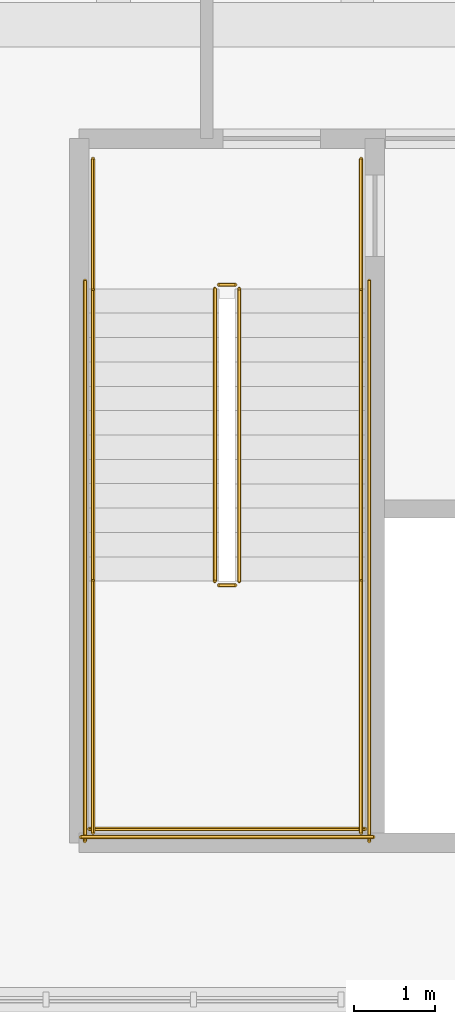
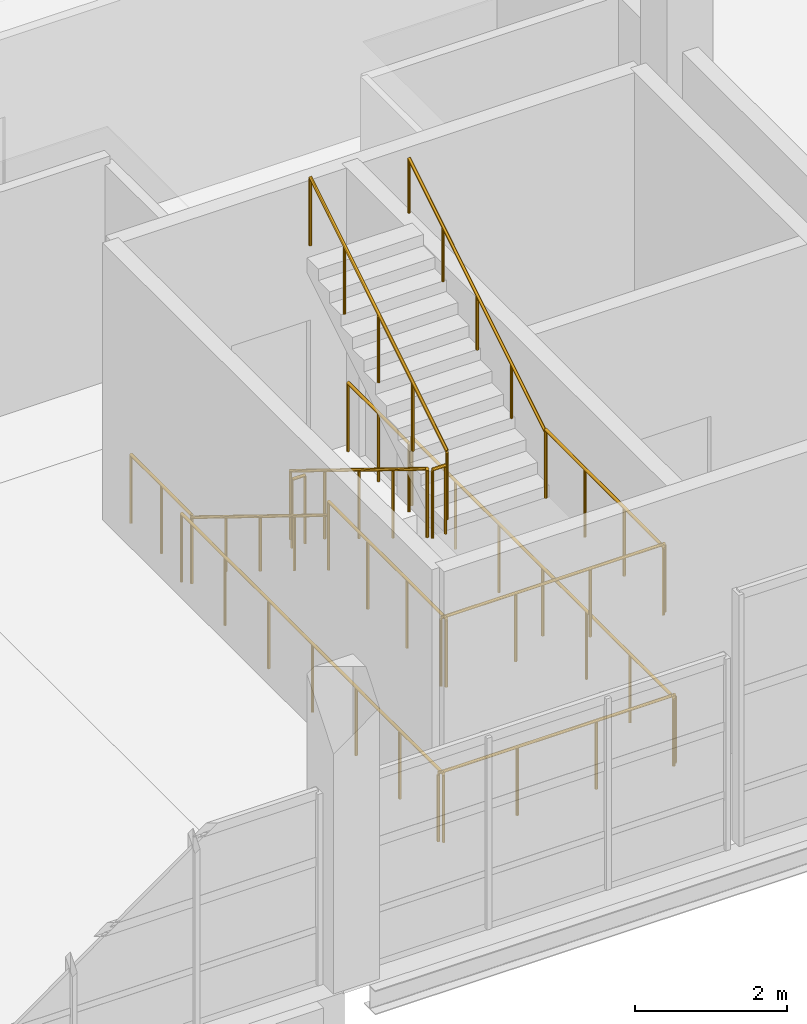
# One storey, part 47 of 49: 14 railings.
"""IFC4 building model written with IfcOpenShell, lengths in metres."""

from ifc_helpers import new_model, si_unit, direction, frame, origin, origin_2d, place, context, subcontext, project, spatial, circle, extrude, material, type_object, element, save


model = new_model("IFC4")

# Units and contexts
model_context = context("Model", 3, precision=1e-05, world=origin(), true_north=direction((0.0, 1.0)))
body_context = subcontext(model_context, "Body", "Model", "MODEL_VIEW")
ifc_project = project(units=[si_unit("LENGTHUNIT", "METRE"), si_unit("AREAUNIT", "SQUARE_METRE"), si_unit("VOLUMEUNIT", "CUBIC_METRE"), si_unit("PLANEANGLEUNIT", "RADIAN"), si_unit("MASSUNIT", "GRAM", prefix="KILO")], contexts=[model_context])

# Site, building, storey
site_placement = place(None, origin())
site = spatial("IfcSite", under=ifc_project, at=site_placement, CompositionType="ELEMENT")
building_placement = place(site_placement, origin())
building = spatial("IfcBuilding", under=site, at=building_placement, Name="Kamomehara Wholesale Market", CompositionType="ELEMENT")
storey_placement = place(building_placement, frame((0.0, 0.0, 11.39990234375)))
storey = spatial("IfcBuildingStorey", under=building, at=storey_placement, Name="L02", CompositionType="ELEMENT", Elevation=11.39990234375)

# Railings
ifc_material_1 = material(Name="Steel SN400B", Category="steel")
railing_type_1 = type_object("IfcRailingType", Name="RAL-HND-900", PredefinedType="HANDRAIL", material=ifc_material_1)
railing_1_placement = place(storey_placement, frame((146.75, 20.75, 0.184814453125)))
element("IfcRailing", 1, at=railing_1_placement, inside=storey, type_object=railing_type_1, Name="L02 ST-08 stair handrail 1", PredefinedType="HANDRAIL", context=body_context, shape_type="SweptSolid", body=[
    extrude(circle(Radius=0.02392578125, at=origin_2d()), frame((0.0, 0.0, 0.8759765625), z_axis=(0.0, -0.85167021472, 0.524078090897), x_axis=(1.0, 0.0, 0.0)), (0.0, 0.0, 1.0), 4.22705078125),
    extrude(circle(Radius=0.02099609375, at=origin_2d()), origin(), (0.0, 0.0, 1.0), 0.851806640625),
    extrude(circle(Radius=0.02099609375, at=origin_2d()), frame((0.0, -0.89990234375, 0.5537109375)), (0.0, 0.0, 1.0), 0.851806640625),
    extrude(circle(Radius=0.02099609375, at=origin_2d()), frame((0.0, -1.800048828125, 1.107666015625)), (0.0, 0.0, 1.0), 0.851806640625),
    extrude(circle(Radius=0.02099609375, at=origin_2d()), frame((0.0, -2.7001953125, 1.66162109375)), (0.0, 0.0, 1.0), 0.851806640625),
    extrude(circle(Radius=0.02099609375, at=origin_2d()), frame((0.0, -3.60009765625, 2.21533203125)), (0.0, 0.0, 1.0), 0.851806640625),
])
railing_2_placement = place(storey_placement, frame((150.050048828125, 17.14990234375, 2.584716796875)))
element("IfcRailing", 2, at=railing_2_placement, inside=storey, type_object=railing_type_1, Name="L02 ST-08 stair handrail 2", PredefinedType="HANDRAIL", context=body_context, shape_type="SweptSolid", body=[
    extrude(circle(Radius=0.02392578125, at=origin_2d()), frame((0.0, 0.0, 0.8759765625), z_axis=(0.0, 0.85167021472, 0.524078090897), x_axis=(-1.0, 0.0, 0.0)), (0.0, 0.0, 1.0), 4.22705078125),
    extrude(circle(Radius=0.02099609375, at=origin_2d()), origin(), (0.0, 0.0, 1.0), 0.851806640625),
    extrude(circle(Radius=0.02099609375, at=origin_2d()), frame((0.0, 0.89990234375, 0.5537109375)), (0.0, 0.0, 1.0), 0.851806640625),
    extrude(circle(Radius=0.02099609375, at=origin_2d()), frame((0.0, 1.800048828125, 1.107666015625)), (0.0, 0.0, 1.0), 0.851806640625),
    extrude(circle(Radius=0.02099609375, at=origin_2d()), frame((0.0, 2.7001953125, 1.66162109375)), (0.0, 0.0, 1.0), 0.851806640625),
    extrude(circle(Radius=0.02099609375, at=origin_2d()), frame((0.0, 3.60009765625, 2.21533203125)), (0.0, 0.0, 1.0), 0.851806640625),
])
ifc_material_2 = material(Name="Steel SN400B", Category="steel")
railing_type_2 = type_object("IfcRailingType", Name="RAL-INT-1100", PredefinedType="BALUSTRADE", material=ifc_material_2)
railing_3_placement = place(storey_placement, frame((148.25, 20.75, 0.184814453125)))
element("IfcRailing", 3, at=railing_3_placement, inside=storey, type_object=railing_type_2, Name="L02 ST-08 stair guard 1", PredefinedType="BALUSTRADE", context=body_context, shape_type="SweptSolid", body=[
    extrude(circle(Radius=0.02392578125, at=origin_2d()), frame((0.0, 0.0, 1.09619140625), z_axis=(0.0, -0.85167021472, 0.524078090897), x_axis=(1.0, 0.0, 0.0)), (0.0, 0.0, 1.0), 4.22705078125),
    extrude(circle(Radius=0.02099609375, at=origin_2d()), origin(), (0.0, 0.0, 1.0), 1.072021484375),
    extrude(circle(Radius=0.02099609375, at=origin_2d()), frame((0.0, -0.89990234375, 0.5537109375)), (0.0, 0.0, 1.0), 1.072021484375),
    extrude(circle(Radius=0.02099609375, at=origin_2d()), frame((0.0, -1.800048828125, 1.107666015625)), (0.0, 0.0, 1.0), 1.072021484375),
    extrude(circle(Radius=0.02099609375, at=origin_2d()), frame((0.0, -2.7001953125, 1.66162109375)), (0.0, 0.0, 1.0), 1.072021484375),
    extrude(circle(Radius=0.02099609375, at=origin_2d()), frame((0.0, -3.60009765625, 2.21533203125)), (0.0, 0.0, 1.0), 1.072021484375),
])
railing_4_placement = place(storey_placement, frame((148.300048828125, 17.10009765625, 2.400146484375)))
element("IfcRailing", 4, at=railing_4_placement, inside=storey, type_object=railing_type_2, Name="L02 ST-08 stair guard 2", PredefinedType="BALUSTRADE", context=body_context, shape_type="SweptSolid", body=[
    extrude(circle(Radius=0.02392578125, at=origin_2d()), frame((0.0, 0.0, 1.09619140625), z_axis=(1.0, 0.0, 0.0), x_axis=(0.0, 1.0, 0.0)), (0.0, 0.0, 1.0), 0.199951171875),
    extrude(circle(Radius=0.02099609375, at=origin_2d()), origin(), (0.0, 0.0, 1.0), 1.072021484375),
    extrude(circle(Radius=0.02099609375, at=origin_2d()), frame((0.199951171875, 0.0, 0.0)), (0.0, 0.0, 1.0), 1.072021484375),
])
for number, where, name in (
    (5, (146.75, 17.14990234375, 2.400146484375), "L02 ST-08 stair guard 3"),
    (6, (150.050048828125, 17.14990234375, 2.400146484375), "L02 ST-08 stair guard 4"),
):
    element("IfcRailing", number, at=place(storey_placement, frame(where)), inside=storey, type_object=railing_type_2, Name=name, PredefinedType="BALUSTRADE", context=body_context, shape_type="SweptSolid", body=[
        extrude(circle(Radius=0.02392578125, at=origin_2d()), frame((0.0, 0.0, 1.09619140625), z_axis=(0.0, -1.0, 0.0), x_axis=(1.0, 0.0, 0.0)), (0.0, 0.0, 1.0), 3.099853515625),
        extrude(circle(Radius=0.02099609375, at=origin_2d()), origin(), (0.0, 0.0, 1.0), 1.072021484375),
        extrude(circle(Radius=0.02099609375, at=origin_2d()), frame((0.0, -1.033203125, 0.0)), (0.0, 0.0, 1.0), 1.072021484375),
        extrude(circle(Radius=0.02099609375, at=origin_2d()), frame((0.0, -2.066650390625, 0.0)), (0.0, 0.0, 1.0), 1.072021484375),
        extrude(circle(Radius=0.02099609375, at=origin_2d()), frame((0.0, -3.099853515625, 0.0)), (0.0, 0.0, 1.0), 1.072021484375),
    ])
railing_5_placement = place(storey_placement, frame((146.699951171875, 14.10009765625, 2.400146484375)))
element("IfcRailing", 7, at=railing_5_placement, inside=storey, type_object=railing_type_2, Name="L02 ST-08 stair guard 5", PredefinedType="BALUSTRADE", context=body_context, shape_type="SweptSolid", body=[
    extrude(circle(Radius=0.02392578125, at=origin_2d()), frame((0.0, 0.0, 1.09619140625), z_axis=(1.0, 0.0, 0.0), x_axis=(0.0, 1.0, 0.0)), (0.0, 0.0, 1.0), 3.400146484375),
    extrude(circle(Radius=0.02099609375, at=origin_2d()), origin(), (0.0, 0.0, 1.0), 1.072021484375),
    extrude(circle(Radius=0.02099609375, at=origin_2d()), frame((1.13330078125, 0.0, 0.0)), (0.0, 0.0, 1.0), 1.072021484375),
    extrude(circle(Radius=0.02099609375, at=origin_2d()), frame((2.266845703125, 0.0, 0.0)), (0.0, 0.0, 1.0), 1.072021484375),
    extrude(circle(Radius=0.02099609375, at=origin_2d()), frame((3.400146484375, 0.0, 0.0)), (0.0, 0.0, 1.0), 1.072021484375),
])
railing_6_placement = place(storey_placement, frame((148.550048828125, 17.14990234375, 2.584716796875)))
element("IfcRailing", 8, at=railing_6_placement, inside=storey, type_object=railing_type_2, Name="L02 ST-08 stair guard 6", PredefinedType="BALUSTRADE", context=body_context, shape_type="SweptSolid", body=[
    extrude(circle(Radius=0.02392578125, at=origin_2d()), frame((0.0, 0.0, 1.09619140625), z_axis=(0.0, 0.85167021472, 0.524078090897), x_axis=(-1.0, 0.0, 0.0)), (0.0, 0.0, 1.0), 4.22705078125),
    extrude(circle(Radius=0.02099609375, at=origin_2d()), origin(), (0.0, 0.0, 1.0), 1.072021484375),
    extrude(circle(Radius=0.02099609375, at=origin_2d()), frame((0.0, 0.89990234375, 0.5537109375)), (0.0, 0.0, 1.0), 1.072021484375),
    extrude(circle(Radius=0.02099609375, at=origin_2d()), frame((0.0, 1.800048828125, 1.107666015625)), (0.0, 0.0, 1.0), 1.072021484375),
    extrude(circle(Radius=0.02099609375, at=origin_2d()), frame((0.0, 2.7001953125, 1.66162109375)), (0.0, 0.0, 1.0), 1.072021484375),
    extrude(circle(Radius=0.02099609375, at=origin_2d()), frame((0.0, 3.60009765625, 2.21533203125)), (0.0, 0.0, 1.0), 1.072021484375),
])
railing_7_placement = place(storey_placement, frame((148.300048828125, 20.800048828125, 0.0)))
element("IfcRailing", 9, at=railing_7_placement, inside=storey, type_object=railing_type_2, Name="L02 ST-08 stair guard 7", PredefinedType="BALUSTRADE", context=body_context, shape_type="SweptSolid", body=[
    extrude(circle(Radius=0.02392578125, at=origin_2d()), frame((0.0, 0.0, 1.09619140625), z_axis=(1.0, 0.0, 0.0), x_axis=(0.0, 1.0, 0.0)), (0.0, 0.0, 1.0), 0.199951171875),
    extrude(circle(Radius=0.02099609375, at=origin_2d()), origin(), (0.0, 0.0, 1.0), 1.072021484375),
    extrude(circle(Radius=0.02099609375, at=origin_2d()), frame((0.199951171875, 0.0, 0.0)), (0.0, 0.0, 1.0), 1.072021484375),
])
for number, where, name in (
    (10, (146.75, 22.35009765625, 0.0), "L02 ST-08 stair guard 8"),
    (11, (150.050048828125, 22.35009765625, 0.0), "L02 ST-08 stair guard 9"),
):
    element("IfcRailing", number, at=place(storey_placement, frame(where)), inside=storey, type_object=railing_type_2, Name=name, PredefinedType="BALUSTRADE", context=body_context, shape_type="SweptSolid", body=[
        extrude(circle(Radius=0.02392578125, at=origin_2d()), frame((0.0, 0.0, 1.09619140625), z_axis=(0.0, -1.0, 0.0), x_axis=(1.0, 0.0, 0.0)), (0.0, 0.0, 1.0), 1.60009765625),
        extrude(circle(Radius=0.02099609375, at=origin_2d()), origin(), (0.0, 0.0, 1.0), 1.072021484375),
        extrude(circle(Radius=0.02099609375, at=origin_2d()), frame((0.0, -0.800048828125, 0.0)), (0.0, 0.0, 1.0), 1.072021484375),
        extrude(circle(Radius=0.02099609375, at=origin_2d()), frame((0.0, -1.60009765625, 0.0)), (0.0, 0.0, 1.0), 1.072021484375),
    ])
for number, where, name in (
    (12, (146.64990234375, 20.85009765625, 0.0), "L02 ST-08 stair guard 10"),
    (13, (150.14990234375, 20.85009765625, 0.0), "L02 ST-08 stair guard 11"),
):
    element("IfcRailing", number, at=place(storey_placement, frame(where)), inside=storey, type_object=railing_type_2, Name=name, PredefinedType="BALUSTRADE", context=body_context, shape_type="SweptSolid", body=[
        extrude(circle(Radius=0.02392578125, at=origin_2d()), frame((0.0, 0.0, 1.09619140625), z_axis=(0.0, -1.0, 0.0), x_axis=(1.0, 0.0, 0.0)), (0.0, 0.0, 1.0), 6.900146484375),
        extrude(circle(Radius=0.02099609375, at=origin_2d()), origin(), (0.0, 0.0, 1.0), 1.072021484375),
        extrude(circle(Radius=0.02099609375, at=origin_2d()), frame((0.0, -1.14990234375, 0.0)), (0.0, 0.0, 1.0), 1.072021484375),
        extrude(circle(Radius=0.02099609375, at=origin_2d()), frame((0.0, -2.300048828125, 0.0)), (0.0, 0.0, 1.0), 1.072021484375),
        extrude(circle(Radius=0.02099609375, at=origin_2d()), frame((0.0, -3.4501953125, 0.0)), (0.0, 0.0, 1.0), 1.072021484375),
        extrude(circle(Radius=0.02099609375, at=origin_2d()), frame((0.0, -4.60009765625, 0.0)), (0.0, 0.0, 1.0), 1.072021484375),
        extrude(circle(Radius=0.02099609375, at=origin_2d()), frame((0.0, -5.75, 0.0)), (0.0, 0.0, 1.0), 1.072021484375),
        extrude(circle(Radius=0.02099609375, at=origin_2d()), frame((0.0, -6.900146484375, 0.0)), (0.0, 0.0, 1.0), 1.072021484375),
    ])
railing_8_placement = place(storey_placement, frame((146.60009765625, 14.0, 0.0)))
element("IfcRailing", 14, at=railing_8_placement, inside=storey, type_object=railing_type_2, Name="L02 ST-08 stair guard 12", PredefinedType="BALUSTRADE", context=body_context, shape_type="SweptSolid", body=[
    extrude(circle(Radius=0.02392578125, at=origin_2d()), frame((0.0, 0.0, 1.09619140625), z_axis=(1.0, 0.0, 0.0), x_axis=(0.0, 1.0, 0.0)), (0.0, 0.0, 1.0), 3.599853515625),
    extrude(circle(Radius=0.02099609375, at=origin_2d()), origin(), (0.0, 0.0, 1.0), 1.072021484375),
    extrude(circle(Radius=0.02099609375, at=origin_2d()), frame((1.199951171875, 0.0, 0.0)), (0.0, 0.0, 1.0), 1.072021484375),
    extrude(circle(Radius=0.02099609375, at=origin_2d()), frame((2.39990234375, 0.0, 0.0)), (0.0, 0.0, 1.0), 1.072021484375),
    extrude(circle(Radius=0.02099609375, at=origin_2d()), frame((3.599853515625, 0.0, 0.0)), (0.0, 0.0, 1.0), 1.072021484375),
])

save(model, "model.ifc")
